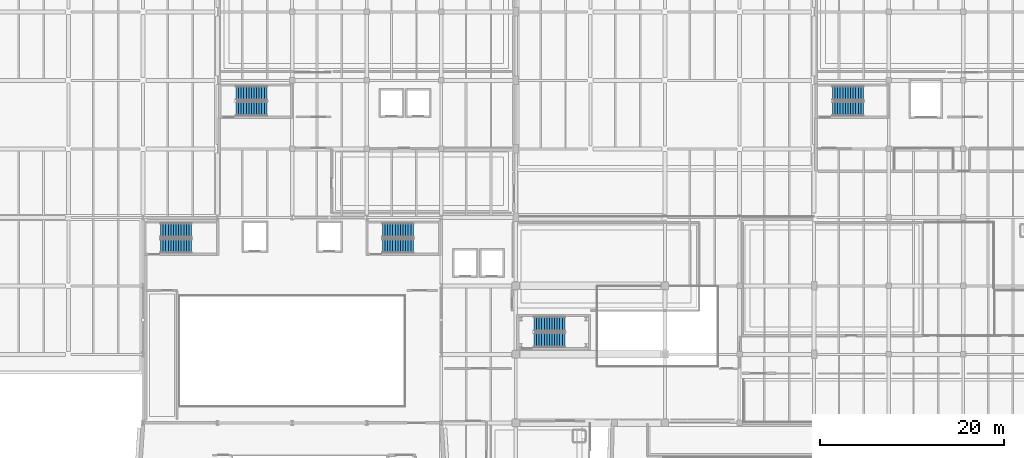
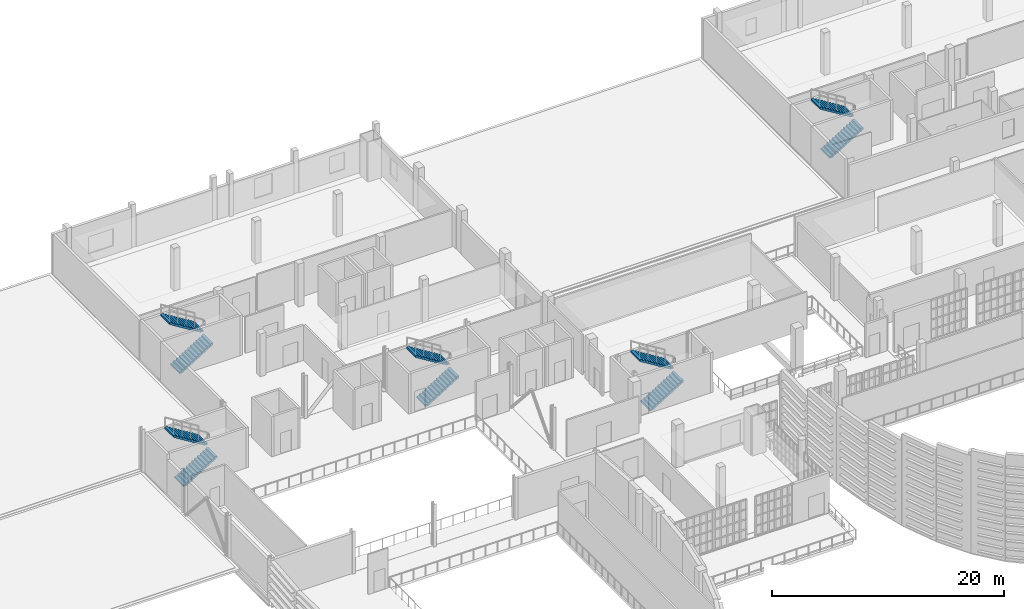
# One storey, part 64 of 73: 10 stair flights, 5 elements without a shape of their own.
"""IFC4 building model written with IfcOpenShell, lengths in metres."""

from ifc_helpers import new_model, si_unit, direction, frame, origin, place, context, subcontext, project, spatial, polyline, outline, extrude, material, type_object, element, aggregate, save


model = new_model("IFC4")

# Units and contexts
model_context = context("Model", 3, precision=1e-05, world=origin(), true_north=direction((0.0, 1.0)))
body_context = subcontext(model_context, "Body", "Model", "MODEL_VIEW")
ifc_project = project(units=[si_unit("LENGTHUNIT", "METRE"), si_unit("AREAUNIT", "SQUARE_METRE"), si_unit("VOLUMEUNIT", "CUBIC_METRE"), si_unit("PLANEANGLEUNIT", "RADIAN"), si_unit("MASSUNIT", "GRAM", prefix="KILO")], contexts=[model_context])

# Site, building, storey
site_placement = place(None, origin())
site = spatial("IfcSite", under=ifc_project, at=site_placement, CompositionType="ELEMENT")
building_placement = place(site_placement, origin())
building = spatial("IfcBuilding", under=site, at=building_placement, Name="Kaelora Sail Theatre", CompositionType="ELEMENT")
storey_placement = place(building_placement, frame((0.0, 0.0, 10.199951171875)))
storey = spatial("IfcBuildingStorey", under=building, at=storey_placement, Name="L02", CompositionType="ELEMENT", Elevation=10.199951171875)

# Stair, stair flights
ifc_material_1 = material(Name="Concrete C40/50", Category="concrete")
stair_type_1 = type_object("IfcStairType", Name="ARC-ST-ESC150", PredefinedType="HALF_TURN_STAIR", material=ifc_material_1)
stair_1_placement = place(storey_placement, origin())
stair_1 = element("IfcStair", 1, at=stair_1_placement, inside=storey, type_object=stair_type_1, Name="L02 ST-K1", PredefinedType="HALF_TURN_STAIR")
ifc_material_2 = material(Name="Concrete C40/50", Category="concrete")
stair_flight_type_1 = type_object("IfcStairFlightType", Name="ARC-SF-150", PredefinedType="STRAIGHT", material=ifc_material_2)
stair_flight_1_placement = place(storey_placement, frame((27.7099609375, 80.22509765625, 0.0), z_axis=(0.0, 0.0, 1.0), x_axis=(1.0, 0.0, 0.0)))
stair_flight_1 = element("IfcStairFlight", 2, at=stair_flight_1_placement, type_object=stair_flight_type_1, Name="ST-K1 flight 1", NumberOfRisers=13, NumberOfTreads=12, PredefinedType="STRAIGHT", RiserHeight=0.173076923, TreadLength=0.28, context=body_context, shape_type="SweptSolid", body=[
    extrude(outline(polyline([(0.0, 0.0), (0.0, 0.173095703125), (0.280029296875, 0.173095703125), (0.280029296875, 0.34619140625), (0.56005859375, 0.34619140625), (0.56005859375, 0.519287109375), (0.840087890625, 0.519287109375), (0.840087890625, 0.6923828125), (1.1201171875, 0.6923828125), (1.1201171875, 0.865478515625), (1.39990234375, 0.865478515625), (1.39990234375, 1.03857421875), (1.679931640625, 1.03857421875), (1.679931640625, 1.21142578125), (1.9599609375, 1.21142578125), (1.9599609375, 1.384521484375), (2.239990234375, 1.384521484375), (2.239990234375, 1.5576171875), (2.52001953125, 1.5576171875), (2.52001953125, 1.730712890625), (2.800048828125, 1.730712890625), (2.800048828125, 1.90380859375), (3.080078125, 1.90380859375), (3.080078125, 2.076904296875), (3.360107421875, 2.076904296875), (3.360107421875, 2.25), (3.360107421875, 1.900634765625), (0.28515625, 0.0), (0.0, 0.0)])), frame((0.0, 0.77490234375, 0.0), z_axis=(0.0, -1.0, 0.0), x_axis=(1.0, 0.0, 0.0)), (0.0, 0.0, 1.0), 1.550048828125),
])
stair_flight_2_placement = place(storey_placement, frame((31.070068359375, 81.925048828125, 2.25), z_axis=(0.0, 0.0, 1.0), x_axis=(-1.0, 0.0, 0.0)))
stair_flight_2 = element("IfcStairFlight", 3, at=stair_flight_2_placement, type_object=stair_flight_type_1, Name="ST-K1 flight 2", NumberOfRisers=13, NumberOfTreads=12, PredefinedType="STRAIGHT", RiserHeight=0.173076923, TreadLength=0.28, context=body_context, shape_type="SweptSolid", body=[
    extrude(outline(polyline([(0.0, 0.0), (0.0, 0.173095703125), (0.280029296875, 0.173095703125), (0.280029296875, 0.34619140625), (0.56005859375, 0.34619140625), (0.56005859375, 0.519287109375), (0.840087890625, 0.519287109375), (0.840087890625, 0.6923828125), (1.1201171875, 0.6923828125), (1.1201171875, 0.865478515625), (1.39990234375, 0.865478515625), (1.39990234375, 1.03857421875), (1.679931640625, 1.03857421875), (1.679931640625, 1.21142578125), (1.9599609375, 1.21142578125), (1.9599609375, 1.384521484375), (2.239990234375, 1.384521484375), (2.239990234375, 1.5576171875), (2.52001953125, 1.5576171875), (2.52001953125, 1.730712890625), (2.800048828125, 1.730712890625), (2.800048828125, 1.90380859375), (3.080078125, 1.90380859375), (3.080078125, 2.076904296875), (3.360107421875, 2.076904296875), (3.360107421875, 2.25), (3.360107421875, 1.900634765625), (0.28515625, 0.0), (0.0, 0.0)])), frame((0.0, 0.77490234375, 0.0), z_axis=(0.0, -1.0, 0.0), x_axis=(1.0, 0.0, 0.0)), (0.0, 0.0, 1.0), 1.550048828125),
])
aggregate(stair_1, [stair_flight_1, stair_flight_2])

stair_2_placement = place(storey_placement, origin())
stair_2 = element("IfcStair", 4, at=stair_2_placement, inside=storey, type_object=stair_type_1, Name="L02 ST-K5", PredefinedType="HALF_TURN_STAIR")
stair_flight_3_placement = place(storey_placement, frame((51.81005859375, 80.22509765625, 0.0), z_axis=(0.0, 0.0, 1.0), x_axis=(1.0, 0.0, 0.0)))
stair_flight_3 = element("IfcStairFlight", 5, at=stair_flight_3_placement, type_object=stair_flight_type_1, Name="ST-K5 flight 1", NumberOfRisers=13, NumberOfTreads=12, PredefinedType="STRAIGHT", RiserHeight=0.173076923, TreadLength=0.28, context=body_context, shape_type="SweptSolid", body=[
    extrude(outline(polyline([(0.0, 0.0), (0.0, 0.173095703125), (0.280029296875, 0.173095703125), (0.280029296875, 0.34619140625), (0.56005859375, 0.34619140625), (0.56005859375, 0.519287109375), (0.840087890625, 0.519287109375), (0.840087890625, 0.6923828125), (1.1201171875, 0.6923828125), (1.1201171875, 0.865478515625), (1.39990234375, 0.865478515625), (1.39990234375, 1.03857421875), (1.679931640625, 1.03857421875), (1.679931640625, 1.21142578125), (1.9599609375, 1.21142578125), (1.9599609375, 1.384521484375), (2.239990234375, 1.384521484375), (2.239990234375, 1.5576171875), (2.52001953125, 1.5576171875), (2.52001953125, 1.730712890625), (2.800048828125, 1.730712890625), (2.800048828125, 1.90380859375), (3.080078125, 1.90380859375), (3.080078125, 2.076904296875), (3.360107421875, 2.076904296875), (3.360107421875, 2.25), (3.360107421875, 1.900634765625), (0.28515625, 0.0), (0.0, 0.0)])), frame((0.0, 0.77490234375, 0.0), z_axis=(0.0, -1.0, 0.0), x_axis=(1.0, 0.0, 0.0)), (0.0, 0.0, 1.0), 1.550048828125),
])
stair_flight_4_placement = place(storey_placement, frame((55.169921875, 81.925048828125, 2.25), z_axis=(0.0, 0.0, 1.0), x_axis=(-1.0, 0.0, 0.0)))
stair_flight_4 = element("IfcStairFlight", 6, at=stair_flight_4_placement, type_object=stair_flight_type_1, Name="ST-K5 flight 2", NumberOfRisers=13, NumberOfTreads=12, PredefinedType="STRAIGHT", RiserHeight=0.173076923, TreadLength=0.28, context=body_context, shape_type="SweptSolid", body=[
    extrude(outline(polyline([(0.0, 0.0), (0.0, 0.173095703125), (0.280029296875, 0.173095703125), (0.280029296875, 0.34619140625), (0.56005859375, 0.34619140625), (0.56005859375, 0.519287109375), (0.840087890625, 0.519287109375), (0.840087890625, 0.6923828125), (1.1201171875, 0.6923828125), (1.1201171875, 0.865478515625), (1.39990234375, 0.865478515625), (1.39990234375, 1.03857421875), (1.679931640625, 1.03857421875), (1.679931640625, 1.21142578125), (1.9599609375, 1.21142578125), (1.9599609375, 1.384521484375), (2.239990234375, 1.384521484375), (2.239990234375, 1.5576171875), (2.52001953125, 1.5576171875), (2.52001953125, 1.730712890625), (2.800048828125, 1.730712890625), (2.800048828125, 1.90380859375), (3.080078125, 1.90380859375), (3.080078125, 2.076904296875), (3.360107421875, 2.076904296875), (3.360107421875, 2.25), (3.360107421875, 1.900634765625), (0.28515625, 0.0), (0.0, 0.0)])), frame((0.0, 0.77490234375, 0.0), z_axis=(0.0, -1.0, 0.0), x_axis=(1.0, 0.0, 0.0)), (0.0, 0.0, 1.0), 1.550048828125),
])
aggregate(stair_2, [stair_flight_3, stair_flight_4])

stair_3_placement = place(storey_placement, origin())
stair_3 = element("IfcStair", 7, at=stair_3_placement, inside=storey, type_object=stair_type_1, Name="L02 ST-K2", PredefinedType="HALF_TURN_STAIR")
stair_flight_5_placement = place(storey_placement, frame((35.89990234375, 95.125, 0.0), z_axis=(0.0, 0.0, 1.0), x_axis=(1.0, 0.0, 0.0)))
stair_flight_5 = element("IfcStairFlight", 8, at=stair_flight_5_placement, type_object=stair_flight_type_1, Name="ST-K2 flight 1", NumberOfRisers=13, NumberOfTreads=12, PredefinedType="STRAIGHT", RiserHeight=0.173076923, TreadLength=0.28, context=body_context, shape_type="SweptSolid", body=[
    extrude(outline(polyline([(0.0, 0.0), (0.0, 0.173095703125), (0.280029296875, 0.173095703125), (0.280029296875, 0.34619140625), (0.56005859375, 0.34619140625), (0.56005859375, 0.519287109375), (0.840087890625, 0.519287109375), (0.840087890625, 0.6923828125), (1.1201171875, 0.6923828125), (1.1201171875, 0.865478515625), (1.39990234375, 0.865478515625), (1.39990234375, 1.03857421875), (1.679931640625, 1.03857421875), (1.679931640625, 1.21142578125), (1.9599609375, 1.21142578125), (1.9599609375, 1.384521484375), (2.239990234375, 1.384521484375), (2.239990234375, 1.5576171875), (2.52001953125, 1.5576171875), (2.52001953125, 1.730712890625), (2.800048828125, 1.730712890625), (2.800048828125, 1.90380859375), (3.080078125, 1.90380859375), (3.080078125, 2.076904296875), (3.360107421875, 2.076904296875), (3.360107421875, 2.25), (3.360107421875, 1.900634765625), (0.28515625, 0.0), (0.0, 0.0)])), frame((0.0, 0.77490234375, 0.0), z_axis=(0.0, -1.0, 0.0), x_axis=(1.0, 0.0, 0.0)), (0.0, 0.0, 1.0), 1.550048828125),
])
stair_flight_6_placement = place(storey_placement, frame((39.260009765625, 96.824951171875, 2.25), z_axis=(0.0, 0.0, 1.0), x_axis=(-1.0, 0.0, 0.0)))
stair_flight_6 = element("IfcStairFlight", 9, at=stair_flight_6_placement, type_object=stair_flight_type_1, Name="ST-K2 flight 2", NumberOfRisers=13, NumberOfTreads=12, PredefinedType="STRAIGHT", RiserHeight=0.173076923, TreadLength=0.28, context=body_context, shape_type="SweptSolid", body=[
    extrude(outline(polyline([(0.0, 0.0), (0.0, 0.173095703125), (0.280029296875, 0.173095703125), (0.280029296875, 0.34619140625), (0.56005859375, 0.34619140625), (0.56005859375, 0.519287109375), (0.840087890625, 0.519287109375), (0.840087890625, 0.6923828125), (1.1201171875, 0.6923828125), (1.1201171875, 0.865478515625), (1.39990234375, 0.865478515625), (1.39990234375, 1.03857421875), (1.679931640625, 1.03857421875), (1.679931640625, 1.21142578125), (1.9599609375, 1.21142578125), (1.9599609375, 1.384521484375), (2.239990234375, 1.384521484375), (2.239990234375, 1.5576171875), (2.52001953125, 1.5576171875), (2.52001953125, 1.730712890625), (2.800048828125, 1.730712890625), (2.800048828125, 1.90380859375), (3.080078125, 1.90380859375), (3.080078125, 2.076904296875), (3.360107421875, 2.076904296875), (3.360107421875, 2.25), (3.360107421875, 1.900634765625), (0.28515625, 0.0), (0.0, 0.0)])), frame((0.0, 0.77490234375, 0.0), z_axis=(0.0, -1.0, 0.0), x_axis=(1.0, 0.0, 0.0)), (0.0, 0.0, 1.0), 1.550048828125),
])
aggregate(stair_3, [stair_flight_5, stair_flight_6])

stair_4_placement = place(storey_placement, origin())
stair_4 = element("IfcStair", 10, at=stair_4_placement, inside=storey, type_object=stair_type_1, Name="L02 ST-K4", PredefinedType="HALF_TURN_STAIR")
stair_flight_7_placement = place(storey_placement, frame((100.699951171875, 95.125, 0.0), z_axis=(0.0, 0.0, 1.0), x_axis=(1.0, 0.0, 0.0)))
stair_flight_7 = element("IfcStairFlight", 11, at=stair_flight_7_placement, type_object=stair_flight_type_1, Name="ST-K4 flight 1", NumberOfRisers=13, NumberOfTreads=12, PredefinedType="STRAIGHT", RiserHeight=0.173076923, TreadLength=0.28, context=body_context, shape_type="SweptSolid", body=[
    extrude(outline(polyline([(0.0, 0.0), (0.0, 0.173095703125), (0.280029296875, 0.173095703125), (0.280029296875, 0.34619140625), (0.56005859375, 0.34619140625), (0.56005859375, 0.519287109375), (0.840087890625, 0.519287109375), (0.840087890625, 0.6923828125), (1.1201171875, 0.6923828125), (1.1201171875, 0.865478515625), (1.39990234375, 0.865478515625), (1.39990234375, 1.03857421875), (1.679931640625, 1.03857421875), (1.679931640625, 1.21142578125), (1.9599609375, 1.21142578125), (1.9599609375, 1.384521484375), (2.239990234375, 1.384521484375), (2.239990234375, 1.5576171875), (2.52001953125, 1.5576171875), (2.52001953125, 1.730712890625), (2.800048828125, 1.730712890625), (2.800048828125, 1.90380859375), (3.080078125, 1.90380859375), (3.080078125, 2.076904296875), (3.360107421875, 2.076904296875), (3.360107421875, 2.25), (3.360107421875, 1.900634765625), (0.28515625, 0.0), (0.0, 0.0)])), frame((0.0, 0.77490234375, 0.0), z_axis=(0.0, -1.0, 0.0), x_axis=(1.0, 0.0, 0.0)), (0.0, 0.0, 1.0), 1.550048828125),
])
stair_flight_8_placement = place(storey_placement, frame((104.06005859375, 96.824951171875, 2.25), z_axis=(0.0, 0.0, 1.0), x_axis=(-1.0, 0.0, 0.0)))
stair_flight_8 = element("IfcStairFlight", 12, at=stair_flight_8_placement, type_object=stair_flight_type_1, Name="ST-K4 flight 2", NumberOfRisers=13, NumberOfTreads=12, PredefinedType="STRAIGHT", RiserHeight=0.173076923, TreadLength=0.28, context=body_context, shape_type="SweptSolid", body=[
    extrude(outline(polyline([(0.0, 0.0), (0.0, 0.173095703125), (0.280029296875, 0.173095703125), (0.280029296875, 0.34619140625), (0.56005859375, 0.34619140625), (0.56005859375, 0.519287109375), (0.840087890625, 0.519287109375), (0.840087890625, 0.6923828125), (1.1201171875, 0.6923828125), (1.1201171875, 0.865478515625), (1.39990234375, 0.865478515625), (1.39990234375, 1.03857421875), (1.679931640625, 1.03857421875), (1.679931640625, 1.21142578125), (1.9599609375, 1.21142578125), (1.9599609375, 1.384521484375), (2.239990234375, 1.384521484375), (2.239990234375, 1.5576171875), (2.52001953125, 1.5576171875), (2.52001953125, 1.730712890625), (2.800048828125, 1.730712890625), (2.800048828125, 1.90380859375), (3.080078125, 1.90380859375), (3.080078125, 2.076904296875), (3.360107421875, 2.076904296875), (3.360107421875, 2.25), (3.360107421875, 1.900634765625), (0.28515625, 0.0), (0.0, 0.0)])), frame((0.0, 0.77490234375, 0.0), z_axis=(0.0, -1.0, 0.0), x_axis=(1.0, 0.0, 0.0)), (0.0, 0.0, 1.0), 1.550048828125),
])
aggregate(stair_4, [stair_flight_7, stair_flight_8])

ifc_material_3 = material(Name="Precast concrete C45/55", Category="concrete")
stair_type_2 = type_object("IfcStairType", Name="ARC-ST-FOY165", PredefinedType="HALF_TURN_STAIR", material=ifc_material_3)
stair_5_placement = place(storey_placement, origin())
stair_5 = element("IfcStair", 13, at=stair_5_placement, inside=storey, type_object=stair_type_2, Name="L02 ST-F1", PredefinedType="HALF_TURN_STAIR")
ifc_material_4 = material(Name="Precast concrete C45/55", Category="concrete")
stair_flight_type_2 = type_object("IfcStairFlightType", Name="ARC-SF-165", PredefinedType="STRAIGHT", material=ifc_material_4)
stair_flight_9_placement = place(storey_placement, frame((68.27001953125, 70.0, 0.0), z_axis=(0.0, 0.0, 1.0), x_axis=(1.0, 0.0, 0.0)))
stair_flight_9 = element("IfcStairFlight", 14, at=stair_flight_9_placement, type_object=stair_flight_type_2, Name="ST-F1 flight 1", NumberOfRisers=13, NumberOfTreads=12, PredefinedType="STRAIGHT", RiserHeight=0.173076923, TreadLength=0.28, context=body_context, shape_type="SweptSolid", body=[
    extrude(outline(polyline([(0.0, 0.0), (0.0, 0.173095703125), (0.280029296875, 0.173095703125), (0.280029296875, 0.34619140625), (0.56005859375, 0.34619140625), (0.56005859375, 0.519287109375), (0.840087890625, 0.519287109375), (0.840087890625, 0.6923828125), (1.1201171875, 0.6923828125), (1.1201171875, 0.865478515625), (1.39990234375, 0.865478515625), (1.39990234375, 1.03857421875), (1.679931640625, 1.03857421875), (1.679931640625, 1.21142578125), (1.9599609375, 1.21142578125), (1.9599609375, 1.384521484375), (2.239990234375, 1.384521484375), (2.239990234375, 1.5576171875), (2.52001953125, 1.5576171875), (2.52001953125, 1.730712890625), (2.800048828125, 1.730712890625), (2.800048828125, 1.90380859375), (3.080078125, 1.90380859375), (3.080078125, 2.076904296875), (3.360107421875, 2.076904296875), (3.360107421875, 2.25), (3.360107421875, 1.900634765625), (0.28515625, 0.0), (0.0, 0.0)])), frame((0.0, 0.800048828125, 0.0), z_axis=(0.0, -1.0, 0.0), x_axis=(1.0, 0.0, 0.0)), (0.0, 0.0, 1.0), 1.60009765625),
])
stair_flight_10_placement = place(storey_placement, frame((71.6298828125, 71.75, 2.25), z_axis=(0.0, 0.0, 1.0), x_axis=(-1.0, 0.0, 0.0)))
stair_flight_10 = element("IfcStairFlight", 15, at=stair_flight_10_placement, type_object=stair_flight_type_2, Name="ST-F1 flight 2", NumberOfRisers=13, NumberOfTreads=12, PredefinedType="STRAIGHT", RiserHeight=0.173076923, TreadLength=0.28, context=body_context, shape_type="SweptSolid", body=[
    extrude(outline(polyline([(0.0, 0.0), (0.0, 0.173095703125), (0.280029296875, 0.173095703125), (0.280029296875, 0.34619140625), (0.56005859375, 0.34619140625), (0.56005859375, 0.519287109375), (0.840087890625, 0.519287109375), (0.840087890625, 0.6923828125), (1.1201171875, 0.6923828125), (1.1201171875, 0.865478515625), (1.39990234375, 0.865478515625), (1.39990234375, 1.03857421875), (1.679931640625, 1.03857421875), (1.679931640625, 1.21142578125), (1.9599609375, 1.21142578125), (1.9599609375, 1.384521484375), (2.239990234375, 1.384521484375), (2.239990234375, 1.5576171875), (2.52001953125, 1.5576171875), (2.52001953125, 1.730712890625), (2.800048828125, 1.730712890625), (2.800048828125, 1.90380859375), (3.080078125, 1.90380859375), (3.080078125, 2.076904296875), (3.360107421875, 2.076904296875), (3.360107421875, 2.25), (3.360107421875, 1.900634765625), (0.28515625, 0.0), (0.0, 0.0)])), frame((0.0, 0.800048828125, 0.0), z_axis=(0.0, -1.0, 0.0), x_axis=(1.0, 0.0, 0.0)), (0.0, 0.0, 1.0), 1.60009765625),
])
aggregate(stair_5, [stair_flight_9, stair_flight_10])

save(model, "model.ifc")
